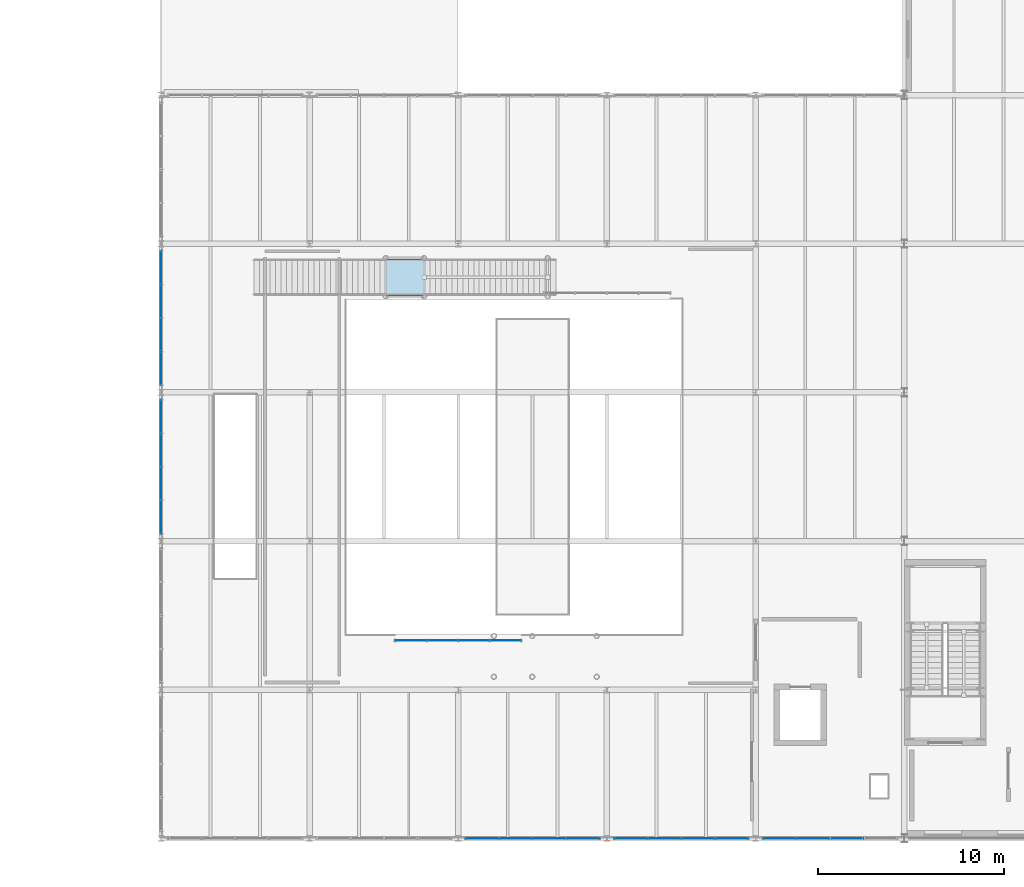
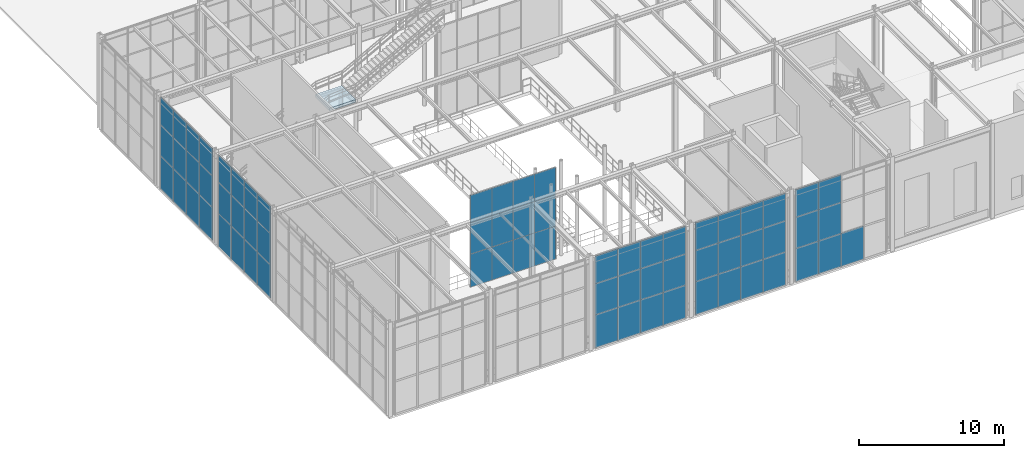
# One storey, part 75 of 138: 67 plates, 1 slab, 7 elements without a shape of their own.
"""IFC4 building model written with IfcOpenShell, lengths in metres."""

import ifcopenshell
import ifcopenshell.guid

model = None  # the IFC model being written
_history = None  # IfcOwnerHistory: only IFC2X3 demands one
_inside = {}  # id of a spatial element -> (the spatial element, [elements in it])
_under = {}  # id of a project, library or spatial element -> (it, [spatial elements below it])
_declared = {}  # id of a project -> (the project, [libraries it declares])
_typed = {}  # id of a type object -> (the type object, [elements of that type])
_made_of = {}  # id of a material, layer set ... -> (it, [elements and type objects made of it])


def new_model(schema):
    """Start an empty IFC model of exactly this schema.

    Asked for "IFC4X3", IfcOpenShell would pick the latest addendum, in which some entities
    have other attributes; the version numbers below select the first issue.
    IFC2X3 requires an IfcOwnerHistory on every rooted entity: one is made here for all.
    """
    global model, _history
    if schema == "IFC4X3":
        model = ifcopenshell.file(schema_version=(4, 3, 0, 0))
    else:
        model = ifcopenshell.file(schema=schema)
    _inside.clear()
    _under.clear()
    _declared.clear()
    _typed.clear()
    _made_of.clear()
    _history = None
    if model.schema == "IFC2X3":
        org = make("IfcOrganization", Name="unknown")
        user = make(
            "IfcPersonAndOrganization",
            ThePerson=make("IfcPerson", FamilyName="unknown"),
            TheOrganization=org,
        )
        app = make(
            "IfcApplication",
            ApplicationDeveloper=org,
            Version="unknown",
            ApplicationFullName="unknown",
            ApplicationIdentifier="unknown",
        )
        _history = make(
            "IfcOwnerHistory",
            OwningUser=user,
            OwningApplication=app,
            ChangeAction="ADDED",
            CreationDate=0,
        )
    return model


def make(cls, **values):
    """One entity of the class cls with the attributes given. An attribute that is None is left unset."""
    return model.create_entity(
        cls, **{name: value for name, value in values.items() if value is not None}
    )


def rooted(cls, **values):
    """An entity with a GlobalId (a new one), such as an element, a storey or a relation."""
    return make(cls, GlobalId=ifcopenshell.guid.new(), OwnerHistory=_history, **values)


def si_unit(unit_type, name, prefix=None):
    """IfcSIUnit, for example si_unit("LENGTHUNIT", "METRE", prefix="MILLI")."""
    return make("IfcSIUnit", UnitType=unit_type, Prefix=prefix, Name=name)


def assignment(units):
    """IfcUnitAssignment: the units of a project."""
    return None if units is None else make("IfcUnitAssignment", Units=units)


def point(xyz):
    """IfcCartesianPoint."""
    return None if xyz is None else make("IfcCartesianPoint", Coordinates=xyz)


def direction(xyz):
    """IfcDirection."""
    return None if xyz is None else make("IfcDirection", DirectionRatios=xyz)


def frame(location, z_axis=None, x_axis=None):
    """IfcAxis2Placement3D, a coordinate frame: its origin and axes. An axis left out is left unset."""
    return make(
        "IfcAxis2Placement3D",
        Location=point(location),
        Axis=direction(z_axis),
        RefDirection=direction(x_axis),
    )


def frame_2d(location, x_axis=None):
    """IfcAxis2Placement2D, a coordinate frame in the plane: its origin and x axis."""
    return make(
        "IfcAxis2Placement2D", Location=point(location), RefDirection=direction(x_axis)
    )


def origin():
    """The frame at (0, 0, 0) with its axes left unset."""
    return frame((0.0, 0.0, 0.0))


def origin_2d():
    """The frame at (0, 0) in the plane with its x axis left unset."""
    return frame_2d((0.0, 0.0))


def place(relative_to, where):
    """IfcLocalPlacement: puts the frame where relative to a parent placement (None: the world)."""
    return make(
        "IfcLocalPlacement", PlacementRelTo=relative_to, RelativePlacement=where
    )


def context(
    kind, dimensions, precision=None, world=None, true_north=None, identifier=None
):
    """IfcGeometricRepresentationContext, for example the 3D "Model" context."""
    return make(
        "IfcGeometricRepresentationContext",
        ContextIdentifier=identifier,
        ContextType=kind,
        CoordinateSpaceDimension=dimensions,
        Precision=precision,
        WorldCoordinateSystem=world,
        TrueNorth=true_north,
    )


def subcontext(parent, identifier, kind, view, scale=None):
    """IfcGeometricRepresentationSubContext, for example "Body" below "Model"."""
    return make(
        "IfcGeometricRepresentationSubContext",
        ContextIdentifier=identifier,
        ContextType=kind,
        ParentContext=parent,
        TargetScale=scale,
        TargetView=view,
    )


def project(units=None, contexts=None):
    """IfcProject with its units and contexts."""
    return rooted(
        "IfcProject",
        Name="project",
        RepresentationContexts=contexts,
        UnitsInContext=assignment(units),
    )


def spatial(cls, under=None, at=None, **own):
    """A site, building, storey or space (cls), placed at a placement, below another one or the project."""
    s = rooted(cls, ObjectPlacement=at, **own)
    if under is not None:
        _under.setdefault(under.id(), (under, []))[1].append(s)
    return s


def polyline(points):
    """IfcPolyline through the points."""
    return make("IfcPolyline", Points=[point(p) for p in points])


def profile(cls, at=None, kind="AREA", **sizes):
    """A parametric profile (cls). Its sizes go by their IFC names, for example OverallWidth=200.0."""
    return make(cls, ProfileType=kind, Position=at, **sizes)


def rectangle(**sizes):
    """IfcRectangleProfileDef."""
    return profile("IfcRectangleProfileDef", **sizes)


def outline(outer, holes=None, kind="AREA"):
    """IfcArbitraryClosedProfileDef: a profile drawn as a closed curve; with holes, ...WithVoids."""
    if holes is None:
        return make("IfcArbitraryClosedProfileDef", ProfileType=kind, OuterCurve=outer)
    return make(
        "IfcArbitraryProfileDefWithVoids",
        ProfileType=kind,
        OuterCurve=outer,
        InnerCurves=holes,
    )


def extrude(swept, where, along, depth):
    """IfcExtrudedAreaSolid: the profile swept, set in the frame where, extruded along a direction by depth."""
    return make(
        "IfcExtrudedAreaSolid",
        SweptArea=swept,
        Position=where,
        ExtrudedDirection=direction(along),
        Depth=depth,
    )


def shape(context_of_items, identifier, shape_type, items):
    """IfcShapeRepresentation: the items that make up one representation, for example the "Body"."""
    return make(
        "IfcShapeRepresentation",
        ContextOfItems=context_of_items,
        RepresentationIdentifier=identifier,
        RepresentationType=shape_type,
        Items=items,
    )


def material(Name=None, Category=None):
    """IfcMaterial."""
    return make("IfcMaterial", Name=Name, Category=Category)


def layer(
    of_material, thickness, ventilated=None, Name=None, Category=None, Priority=None
):
    """IfcMaterialLayer: one layer of a wall or slab, of a material (None: an air gap)."""
    return make(
        "IfcMaterialLayer",
        Material=of_material,
        LayerThickness=thickness,
        IsVentilated=ventilated,
        Name=Name,
        Category=Category,
        Priority=Priority,
    )


def layer_set(layers, Name=None):
    """IfcMaterialLayerSet."""
    return make("IfcMaterialLayerSet", MaterialLayers=layers, LayerSetName=Name)


def made_of(thing, what):
    """Note that an element or type object is made of a material, layer set ...; save() writes the relation."""
    if what is not None:
        _made_of.setdefault(what.id(), (what, []))[1].append(thing)
    return thing


def type_object(cls, material=None, **own):
    """A type object (cls), such as IfcWallType, which elements share."""
    return made_of(rooted(cls, **own), material)


def element(
    cls,
    number,
    at=None,
    inside=None,
    cuts=None,
    type_object=None,
    material=None,
    context=None,
    identifier="Body",
    shape_type=None,
    held_by="IfcProductDefinitionShape",
    body=None,
    shapes=None,
    **own,
):
    """One element of the class cls, such as IfcWall. Its Tag is "e" and its number.

    at: its placement. inside: the storey or other place that contains it. cuts: it is an
    opening in that element (IfcRelVoidsElement). A single representation is given by context,
    identifier, shape_type and body (its items); several are given by shapes. held_by: the class
    of the entity that holds the representations. save() writes the other relations.
    """
    e = rooted(cls, Tag="e%d" % number, ObjectPlacement=at, **own)
    if body is not None:
        shapes = [shape(context, identifier, shape_type, body)]
    if shapes is not None:
        e.Representation = make(held_by, Representations=shapes)
    if inside is not None:
        _inside.setdefault(inside.id(), (inside, []))[1].append(e)
    if cuts is not None:
        rooted(
            "IfcRelVoidsElement", RelatingBuildingElement=cuts, RelatedOpeningElement=e
        )
    if type_object is not None:
        _typed.setdefault(type_object.id(), (type_object, []))[1].append(e)
    return made_of(e, material)


def aggregate(whole, parts):
    """IfcRelAggregates: a whole, such as a stair, and the parts it consists of."""
    return rooted("IfcRelAggregates", RelatingObject=whole, RelatedObjects=parts)


def save(model, path):
    """Write the relations noted so far, then the file.

    IfcRelAggregates (storeys below a building ...), IfcRelContainedInSpatialStructure (elements
    in a storey), IfcRelDefinesByType, IfcRelAssociatesMaterial and IfcRelDeclares: one each for
    every whole, place, type object, material and project.
    """
    for whole, parts in _under.values():
        aggregate(whole, parts)
    for where, things in _inside.values():
        rooted(
            "IfcRelContainedInSpatialStructure",
            RelatedElements=things,
            RelatingStructure=where,
        )
    for kind, things in _typed.values():
        rooted("IfcRelDefinesByType", RelatedObjects=things, RelatingType=kind)
    for what, things in _made_of.values():
        rooted("IfcRelAssociatesMaterial", RelatedObjects=things, RelatingMaterial=what)
    for by, libraries in _declared.values():
        rooted("IfcRelDeclares", RelatingContext=by, RelatedDefinitions=libraries)
    model.write(path)


model = new_model("IFC4")

# Units and contexts
model_context = context("Model", 3, precision=1e-05, world=origin(), true_north=direction((0.0, 1.0)))
body_context = subcontext(model_context, "Body", "Model", "MODEL_VIEW")
ifc_project = project(units=[si_unit("LENGTHUNIT", "METRE"), si_unit("AREAUNIT", "SQUARE_METRE"), si_unit("VOLUMEUNIT", "CUBIC_METRE"), si_unit("PLANEANGLEUNIT", "RADIAN"), si_unit("MASSUNIT", "GRAM", prefix="KILO")], contexts=[model_context])

# Site, building, storey
site_placement = place(None, origin())
site = spatial("IfcSite", under=ifc_project, at=site_placement, CompositionType="ELEMENT")
building_placement = place(site_placement, origin())
building = spatial("IfcBuilding", under=site, at=building_placement, Name="Sundkrona Museum", CompositionType="ELEMENT")
storey_placement = place(building_placement, frame((0.0, 0.0, 9.60009765625)))
storey = spatial("IfcBuildingStorey", under=building, at=storey_placement, Name="L02", CompositionType="ELEMENT", Elevation=9.60009765625)

# Curtain wall, plates
ifc_material_1 = material(Name="Unitised Aluminium-Steel and Ceramic-Clad Curtain Walling", Category="steel")
curtain_wall_type_1 = type_object("IfcCurtainWallType", Name="CW-AT-72x74", PredefinedType="NOTDEFINED", material=ifc_material_1)
curtain_wall_1_placement = place(storey_placement, origin())
curtain_wall_1 = element("IfcCurtainWall", 1, at=curtain_wall_1_placement, inside=storey, type_object=curtain_wall_type_1, Name="L02 Curtain Wall CW-L02-045", PredefinedType="NOTDEFINED")
ifc_material_2 = material(Name="Triple Low-E Vision Glazing 32 mm", Category="glass")
ifc_layer_1 = layer(ifc_material_2, 0.031982421875)
ifc_layer_set_1 = layer_set([ifc_layer_1], Name="Triple Low-E Vision Glazing 32 mm")
plate_type_1 = type_object("IfcPlateType", Name="PN-GL-01", PredefinedType="CURTAIN_PANEL", material=ifc_layer_set_1)
plate_1_placement = place(storey_placement, frame((97.300048828125, 0.0, -0.004150390625), z_axis=(0.0, 0.0, 1.0), x_axis=(1.0, 0.0, 0.0)))
plate_1 = element("IfcPlate", 2, at=plate_1_placement, type_object=plate_type_1, Name="CW-L02-045 Panel 01", PredefinedType="CURTAIN_PANEL", context=body_context, shape_type="SweptSolid", body=[
    extrude(rectangle(XDim=1.800048828125, YDim=0.031982421875, at=origin_2d()), origin(), (0.0, 0.0, 1.0), 2.7900390625),
])
plate_2_placement = place(storey_placement, frame((97.300048828125, 0.0, 2.78564453125), z_axis=(0.0, 0.0, 1.0), x_axis=(1.0, 0.0, 0.0)))
plate_2 = element("IfcPlate", 3, at=plate_2_placement, type_object=plate_type_1, Name="CW-L02-045 Panel 02", PredefinedType="CURTAIN_PANEL", context=body_context, shape_type="SweptSolid", body=[
    extrude(rectangle(XDim=1.800048828125, YDim=0.031982421875, at=origin_2d()), origin(), (0.0, 0.0, 1.0), 2.632080078125),
])
plate_3_placement = place(storey_placement, frame((97.300048828125, 0.0, 5.41796875), z_axis=(0.0, 0.0, 1.0), x_axis=(1.0, 0.0, 0.0)))
plate_3 = element("IfcPlate", 4, at=plate_3_placement, type_object=plate_type_1, Name="CW-L02-045 Panel 03", PredefinedType="CURTAIN_PANEL", context=body_context, shape_type="SweptSolid", body=[
    extrude(rectangle(XDim=1.800048828125, YDim=0.031982421875, at=origin_2d()), origin(), (0.0, 0.0, 1.0), 2.325927734375),
])
plate_4_placement = place(storey_placement, frame((99.10009765625, 0.0, -0.004150390625), z_axis=(0.0, 0.0, 1.0), x_axis=(1.0, 0.0, 0.0)))
plate_4 = element("IfcPlate", 5, at=plate_4_placement, type_object=plate_type_1, Name="CW-L02-045 Panel 04", PredefinedType="CURTAIN_PANEL", context=body_context, shape_type="SweptSolid", body=[
    extrude(rectangle(XDim=1.800048828125, YDim=0.031982421875, at=origin_2d()), origin(), (0.0, 0.0, 1.0), 2.7900390625),
])
plate_5_placement = place(storey_placement, frame((99.10009765625, 0.0, 2.78564453125), z_axis=(0.0, 0.0, 1.0), x_axis=(1.0, 0.0, 0.0)))
plate_5 = element("IfcPlate", 6, at=plate_5_placement, type_object=plate_type_1, Name="CW-L02-045 Panel 05", PredefinedType="CURTAIN_PANEL", context=body_context, shape_type="SweptSolid", body=[
    extrude(rectangle(XDim=1.800048828125, YDim=0.031982421875, at=origin_2d()), origin(), (0.0, 0.0, 1.0), 2.632080078125),
])
plate_6_placement = place(storey_placement, frame((99.10009765625, 0.0, 5.41796875), z_axis=(0.0, 0.0, 1.0), x_axis=(1.0, 0.0, 0.0)))
plate_6 = element("IfcPlate", 7, at=plate_6_placement, type_object=plate_type_1, Name="CW-L02-045 Panel 06", PredefinedType="CURTAIN_PANEL", context=body_context, shape_type="SweptSolid", body=[
    extrude(rectangle(XDim=1.800048828125, YDim=0.031982421875, at=origin_2d()), origin(), (0.0, 0.0, 1.0), 2.325927734375),
])
plate_7_placement = place(storey_placement, frame((100.89990234375, 0.0, -0.004150390625), z_axis=(0.0, 0.0, 1.0), x_axis=(1.0, 0.0, 0.0)))
plate_7 = element("IfcPlate", 8, at=plate_7_placement, type_object=plate_type_1, Name="CW-L02-045 Panel 07", PredefinedType="CURTAIN_PANEL", context=body_context, shape_type="SweptSolid", body=[
    extrude(rectangle(XDim=1.800048828125, YDim=0.031982421875, at=origin_2d()), origin(), (0.0, 0.0, 1.0), 2.7900390625),
])
plate_8_placement = place(storey_placement, frame((100.89990234375, 0.0, 2.78564453125), z_axis=(0.0, 0.0, 1.0), x_axis=(1.0, 0.0, 0.0)))
plate_8 = element("IfcPlate", 9, at=plate_8_placement, type_object=plate_type_1, Name="CW-L02-045 Panel 08", PredefinedType="CURTAIN_PANEL", context=body_context, shape_type="SweptSolid", body=[
    extrude(rectangle(XDim=1.800048828125, YDim=0.031982421875, at=origin_2d()), origin(), (0.0, 0.0, 1.0), 2.632080078125),
])
plate_9_placement = place(storey_placement, frame((100.89990234375, 0.0, 5.41796875), z_axis=(0.0, 0.0, 1.0), x_axis=(1.0, 0.0, 0.0)))
plate_9 = element("IfcPlate", 10, at=plate_9_placement, type_object=plate_type_1, Name="CW-L02-045 Panel 09", PredefinedType="CURTAIN_PANEL", context=body_context, shape_type="SweptSolid", body=[
    extrude(rectangle(XDim=1.800048828125, YDim=0.031982421875, at=origin_2d()), origin(), (0.0, 0.0, 1.0), 2.325927734375),
])
plate_10_placement = place(storey_placement, frame((102.699951171875, 0.0, -0.004150390625), z_axis=(0.0, 0.0, 1.0), x_axis=(1.0, 0.0, 0.0)))
plate_10 = element("IfcPlate", 11, at=plate_10_placement, type_object=plate_type_1, Name="CW-L02-045 Panel 10", PredefinedType="CURTAIN_PANEL", context=body_context, shape_type="SweptSolid", body=[
    extrude(rectangle(XDim=1.800048828125, YDim=0.031982421875, at=origin_2d()), origin(), (0.0, 0.0, 1.0), 2.7900390625),
])
plate_11_placement = place(storey_placement, frame((102.699951171875, 0.0, 2.78564453125), z_axis=(0.0, 0.0, 1.0), x_axis=(1.0, 0.0, 0.0)))
plate_11 = element("IfcPlate", 12, at=plate_11_placement, type_object=plate_type_1, Name="CW-L02-045 Panel 11", PredefinedType="CURTAIN_PANEL", context=body_context, shape_type="SweptSolid", body=[
    extrude(rectangle(XDim=1.800048828125, YDim=0.031982421875, at=origin_2d()), origin(), (0.0, 0.0, 1.0), 2.632080078125),
])
plate_12_placement = place(storey_placement, frame((102.699951171875, 0.0, 5.41796875), z_axis=(0.0, 0.0, 1.0), x_axis=(1.0, 0.0, 0.0)))
plate_12 = element("IfcPlate", 13, at=plate_12_placement, type_object=plate_type_1, Name="CW-L02-045 Panel 12", PredefinedType="CURTAIN_PANEL", context=body_context, shape_type="SweptSolid", body=[
    extrude(rectangle(XDim=1.800048828125, YDim=0.031982421875, at=origin_2d()), origin(), (0.0, 0.0, 1.0), 2.325927734375),
])
aggregate(curtain_wall_1, [plate_1, plate_2, plate_3, plate_4, plate_5, plate_6, plate_7, plate_8, plate_9, plate_10, plate_11, plate_12])

curtain_wall_2_placement = place(storey_placement, origin())
curtain_wall_2 = element("IfcCurtainWall", 14, at=curtain_wall_2_placement, inside=storey, type_object=curtain_wall_type_1, Name="L02 Curtain Wall CW-L02-046", PredefinedType="NOTDEFINED")
plate_13_placement = place(storey_placement, frame((105.300048828125, 0.0, -0.004150390625), z_axis=(0.0, 0.0, 1.0), x_axis=(1.0, 0.0, 0.0)))
plate_13 = element("IfcPlate", 15, at=plate_13_placement, type_object=plate_type_1, Name="CW-L02-046 Panel 01", PredefinedType="CURTAIN_PANEL", context=body_context, shape_type="SweptSolid", body=[
    extrude(rectangle(XDim=1.800048828125, YDim=0.031982421875, at=origin_2d()), origin(), (0.0, 0.0, 1.0), 2.7900390625),
])
plate_14_placement = place(storey_placement, frame((105.300048828125, 0.0, 2.78564453125), z_axis=(0.0, 0.0, 1.0), x_axis=(1.0, 0.0, 0.0)))
plate_14 = element("IfcPlate", 16, at=plate_14_placement, type_object=plate_type_1, Name="CW-L02-046 Panel 02", PredefinedType="CURTAIN_PANEL", context=body_context, shape_type="SweptSolid", body=[
    extrude(rectangle(XDim=1.800048828125, YDim=0.031982421875, at=origin_2d()), origin(), (0.0, 0.0, 1.0), 2.632080078125),
])
plate_15_placement = place(storey_placement, frame((105.300048828125, 0.0, 5.41796875), z_axis=(0.0, 0.0, 1.0), x_axis=(1.0, 0.0, 0.0)))
plate_15 = element("IfcPlate", 17, at=plate_15_placement, type_object=plate_type_1, Name="CW-L02-046 Panel 03", PredefinedType="CURTAIN_PANEL", context=body_context, shape_type="SweptSolid", body=[
    extrude(rectangle(XDim=1.800048828125, YDim=0.031982421875, at=origin_2d()), origin(), (0.0, 0.0, 1.0), 2.325927734375),
])
plate_16_placement = place(storey_placement, frame((107.10009765625, 0.0, -0.004150390625), z_axis=(0.0, 0.0, 1.0), x_axis=(1.0, 0.0, 0.0)))
plate_16 = element("IfcPlate", 18, at=plate_16_placement, type_object=plate_type_1, Name="CW-L02-046 Panel 04", PredefinedType="CURTAIN_PANEL", context=body_context, shape_type="SweptSolid", body=[
    extrude(rectangle(XDim=1.800048828125, YDim=0.031982421875, at=origin_2d()), origin(), (0.0, 0.0, 1.0), 2.7900390625),
])
plate_17_placement = place(storey_placement, frame((107.10009765625, 0.0, 2.78564453125), z_axis=(0.0, 0.0, 1.0), x_axis=(1.0, 0.0, 0.0)))
plate_17 = element("IfcPlate", 19, at=plate_17_placement, type_object=plate_type_1, Name="CW-L02-046 Panel 05", PredefinedType="CURTAIN_PANEL", context=body_context, shape_type="SweptSolid", body=[
    extrude(rectangle(XDim=1.800048828125, YDim=0.031982421875, at=origin_2d()), origin(), (0.0, 0.0, 1.0), 2.632080078125),
])
plate_18_placement = place(storey_placement, frame((107.10009765625, 0.0, 5.41796875), z_axis=(0.0, 0.0, 1.0), x_axis=(1.0, 0.0, 0.0)))
plate_18 = element("IfcPlate", 20, at=plate_18_placement, type_object=plate_type_1, Name="CW-L02-046 Panel 06", PredefinedType="CURTAIN_PANEL", context=body_context, shape_type="SweptSolid", body=[
    extrude(rectangle(XDim=1.800048828125, YDim=0.031982421875, at=origin_2d()), origin(), (0.0, 0.0, 1.0), 2.325927734375),
])
plate_19_placement = place(storey_placement, frame((108.89990234375, 0.0, -0.004150390625), z_axis=(0.0, 0.0, 1.0), x_axis=(1.0, 0.0, 0.0)))
plate_19 = element("IfcPlate", 21, at=plate_19_placement, type_object=plate_type_1, Name="CW-L02-046 Panel 07", PredefinedType="CURTAIN_PANEL", context=body_context, shape_type="SweptSolid", body=[
    extrude(rectangle(XDim=1.800048828125, YDim=0.031982421875, at=origin_2d()), origin(), (0.0, 0.0, 1.0), 2.7900390625),
])
plate_20_placement = place(storey_placement, frame((108.89990234375, 0.0, 2.78564453125), z_axis=(0.0, 0.0, 1.0), x_axis=(1.0, 0.0, 0.0)))
plate_20 = element("IfcPlate", 22, at=plate_20_placement, type_object=plate_type_1, Name="CW-L02-046 Panel 08", PredefinedType="CURTAIN_PANEL", context=body_context, shape_type="SweptSolid", body=[
    extrude(rectangle(XDim=1.800048828125, YDim=0.031982421875, at=origin_2d()), origin(), (0.0, 0.0, 1.0), 2.632080078125),
])
plate_21_placement = place(storey_placement, frame((108.89990234375, 0.0, 5.41796875), z_axis=(0.0, 0.0, 1.0), x_axis=(1.0, 0.0, 0.0)))
plate_21 = element("IfcPlate", 23, at=plate_21_placement, type_object=plate_type_1, Name="CW-L02-046 Panel 09", PredefinedType="CURTAIN_PANEL", context=body_context, shape_type="SweptSolid", body=[
    extrude(rectangle(XDim=1.800048828125, YDim=0.031982421875, at=origin_2d()), origin(), (0.0, 0.0, 1.0), 2.325927734375),
])
plate_22_placement = place(storey_placement, frame((110.699951171875, 0.0, -0.004150390625), z_axis=(0.0, 0.0, 1.0), x_axis=(1.0, 0.0, 0.0)))
plate_22 = element("IfcPlate", 24, at=plate_22_placement, type_object=plate_type_1, Name="CW-L02-046 Panel 10", PredefinedType="CURTAIN_PANEL", context=body_context, shape_type="SweptSolid", body=[
    extrude(rectangle(XDim=1.800048828125, YDim=0.031982421875, at=origin_2d()), origin(), (0.0, 0.0, 1.0), 2.7900390625),
])
plate_23_placement = place(storey_placement, frame((110.699951171875, 0.0, 2.78564453125), z_axis=(0.0, 0.0, 1.0), x_axis=(1.0, 0.0, 0.0)))
plate_23 = element("IfcPlate", 25, at=plate_23_placement, type_object=plate_type_1, Name="CW-L02-046 Panel 11", PredefinedType="CURTAIN_PANEL", context=body_context, shape_type="SweptSolid", body=[
    extrude(rectangle(XDim=1.800048828125, YDim=0.031982421875, at=origin_2d()), origin(), (0.0, 0.0, 1.0), 2.632080078125),
])
plate_24_placement = place(storey_placement, frame((110.699951171875, 0.0, 5.41796875), z_axis=(0.0, 0.0, 1.0), x_axis=(1.0, 0.0, 0.0)))
plate_24 = element("IfcPlate", 26, at=plate_24_placement, type_object=plate_type_1, Name="CW-L02-046 Panel 12", PredefinedType="CURTAIN_PANEL", context=body_context, shape_type="SweptSolid", body=[
    extrude(rectangle(XDim=1.800048828125, YDim=0.031982421875, at=origin_2d()), origin(), (0.0, 0.0, 1.0), 2.325927734375),
])
aggregate(curtain_wall_2, [plate_13, plate_14, plate_15, plate_16, plate_17, plate_18, plate_19, plate_20, plate_21, plate_22, plate_23, plate_24])

curtain_wall_3_placement = place(storey_placement, origin())
curtain_wall_3 = element("IfcCurtainWall", 27, at=curtain_wall_3_placement, inside=storey, type_object=curtain_wall_type_1, Name="L02 Curtain Wall CW-L02-047", PredefinedType="NOTDEFINED")
plate_25_placement = place(storey_placement, frame((113.300048828125, 0.0, -0.004150390625), z_axis=(0.0, 0.0, 1.0), x_axis=(1.0, 0.0, 0.0)))
plate_25 = element("IfcPlate", 28, at=plate_25_placement, type_object=plate_type_1, Name="CW-L02-047 Panel 01", PredefinedType="CURTAIN_PANEL", context=body_context, shape_type="SweptSolid", body=[
    extrude(rectangle(XDim=1.800048828125, YDim=0.031982421875, at=origin_2d()), origin(), (0.0, 0.0, 1.0), 2.7900390625),
])
plate_26_placement = place(storey_placement, frame((113.300048828125, 0.0, 2.78564453125), z_axis=(0.0, 0.0, 1.0), x_axis=(1.0, 0.0, 0.0)))
plate_26 = element("IfcPlate", 29, at=plate_26_placement, type_object=plate_type_1, Name="CW-L02-047 Panel 02", PredefinedType="CURTAIN_PANEL", context=body_context, shape_type="SweptSolid", body=[
    extrude(rectangle(XDim=1.800048828125, YDim=0.031982421875, at=origin_2d()), origin(), (0.0, 0.0, 1.0), 2.632080078125),
])
plate_27_placement = place(storey_placement, frame((113.300048828125, 0.0, 5.41796875), z_axis=(0.0, 0.0, 1.0), x_axis=(1.0, 0.0, 0.0)))
plate_27 = element("IfcPlate", 30, at=plate_27_placement, type_object=plate_type_1, Name="CW-L02-047 Panel 03", PredefinedType="CURTAIN_PANEL", context=body_context, shape_type="SweptSolid", body=[
    extrude(rectangle(XDim=1.800048828125, YDim=0.031982421875, at=origin_2d()), origin(), (0.0, 0.0, 1.0), 2.325927734375),
])
plate_28_placement = place(storey_placement, frame((115.10009765625, 0.0, -0.004150390625), z_axis=(0.0, 0.0, 1.0), x_axis=(1.0, 0.0, 0.0)))
plate_28 = element("IfcPlate", 31, at=plate_28_placement, type_object=plate_type_1, Name="CW-L02-047 Panel 04", PredefinedType="CURTAIN_PANEL", context=body_context, shape_type="SweptSolid", body=[
    extrude(rectangle(XDim=1.800048828125, YDim=0.031982421875, at=origin_2d()), origin(), (0.0, 0.0, 1.0), 2.7900390625),
])
plate_29_placement = place(storey_placement, frame((115.10009765625, 0.0, 2.78564453125), z_axis=(0.0, 0.0, 1.0), x_axis=(1.0, 0.0, 0.0)))
plate_29 = element("IfcPlate", 32, at=plate_29_placement, type_object=plate_type_1, Name="CW-L02-047 Panel 05", PredefinedType="CURTAIN_PANEL", context=body_context, shape_type="SweptSolid", body=[
    extrude(rectangle(XDim=1.800048828125, YDim=0.031982421875, at=origin_2d()), origin(), (0.0, 0.0, 1.0), 2.632080078125),
])
plate_30_placement = place(storey_placement, frame((115.10009765625, 0.0, 5.41796875), z_axis=(0.0, 0.0, 1.0), x_axis=(1.0, 0.0, 0.0)))
plate_30 = element("IfcPlate", 33, at=plate_30_placement, type_object=plate_type_1, Name="CW-L02-047 Panel 06", PredefinedType="CURTAIN_PANEL", context=body_context, shape_type="SweptSolid", body=[
    extrude(rectangle(XDim=1.800048828125, YDim=0.031982421875, at=origin_2d()), origin(), (0.0, 0.0, 1.0), 2.325927734375),
])
plate_31_placement = place(storey_placement, frame((116.89990234375, 0.0, -0.004150390625), z_axis=(0.0, 0.0, 1.0), x_axis=(1.0, 0.0, 0.0)))
plate_31 = element("IfcPlate", 34, at=plate_31_placement, type_object=plate_type_1, Name="CW-L02-047 Panel 07", PredefinedType="CURTAIN_PANEL", context=body_context, shape_type="SweptSolid", body=[
    extrude(rectangle(XDim=1.800048828125, YDim=0.031982421875, at=origin_2d()), origin(), (0.0, 0.0, 1.0), 2.7900390625),
])
aggregate(curtain_wall_3, [plate_25, plate_26, plate_27, plate_28, plate_29, plate_30, plate_31])

curtain_wall_4_placement = place(storey_placement, origin())
curtain_wall_4 = element("IfcCurtainWall", 35, at=curtain_wall_4_placement, inside=storey, type_object=curtain_wall_type_1, Name="L02 Curtain Wall CW-L02-050", PredefinedType="NOTDEFINED")
plate_32_placement = place(storey_placement, frame((80.0, 17.300048828125, -0.004150390625), z_axis=(0.0, 0.0, 1.0), x_axis=(0.0, 1.0, 0.0)))
plate_32 = element("IfcPlate", 36, at=plate_32_placement, type_object=plate_type_1, Name="CW-L02-050 Panel 01", PredefinedType="CURTAIN_PANEL", context=body_context, shape_type="SweptSolid", body=[
    extrude(rectangle(XDim=1.800048828125, YDim=0.031982421875, at=origin_2d()), origin(), (0.0, 0.0, 1.0), 2.7900390625),
])
plate_33_placement = place(storey_placement, frame((80.0, 17.300048828125, 2.78564453125), z_axis=(0.0, 0.0, 1.0), x_axis=(0.0, 1.0, 0.0)))
plate_33 = element("IfcPlate", 37, at=plate_33_placement, type_object=plate_type_1, Name="CW-L02-050 Panel 02", PredefinedType="CURTAIN_PANEL", context=body_context, shape_type="SweptSolid", body=[
    extrude(rectangle(XDim=1.800048828125, YDim=0.031982421875, at=origin_2d()), origin(), (0.0, 0.0, 1.0), 2.632080078125),
])
plate_34_placement = place(storey_placement, frame((80.0, 17.300048828125, 5.41796875), z_axis=(0.0, 0.0, 1.0), x_axis=(0.0, 1.0, 0.0)))
plate_34 = element("IfcPlate", 38, at=plate_34_placement, type_object=plate_type_1, Name="CW-L02-050 Panel 03", PredefinedType="CURTAIN_PANEL", context=body_context, shape_type="SweptSolid", body=[
    extrude(rectangle(XDim=1.800048828125, YDim=0.031982421875, at=origin_2d()), origin(), (0.0, 0.0, 1.0), 2.325927734375),
])
plate_35_placement = place(storey_placement, frame((80.0, 19.10009765625, -0.004150390625), z_axis=(0.0, 0.0, 1.0), x_axis=(0.0, 1.0, 0.0)))
plate_35 = element("IfcPlate", 39, at=plate_35_placement, type_object=plate_type_1, Name="CW-L02-050 Panel 04", PredefinedType="CURTAIN_PANEL", context=body_context, shape_type="SweptSolid", body=[
    extrude(rectangle(XDim=1.800048828125, YDim=0.031982421875, at=origin_2d()), origin(), (0.0, 0.0, 1.0), 2.7900390625),
])
plate_36_placement = place(storey_placement, frame((80.0, 19.10009765625, 2.78564453125), z_axis=(0.0, 0.0, 1.0), x_axis=(0.0, 1.0, 0.0)))
plate_36 = element("IfcPlate", 40, at=plate_36_placement, type_object=plate_type_1, Name="CW-L02-050 Panel 05", PredefinedType="CURTAIN_PANEL", context=body_context, shape_type="SweptSolid", body=[
    extrude(rectangle(XDim=1.800048828125, YDim=0.031982421875, at=origin_2d()), origin(), (0.0, 0.0, 1.0), 2.632080078125),
])
plate_37_placement = place(storey_placement, frame((80.0, 19.10009765625, 5.41796875), z_axis=(0.0, 0.0, 1.0), x_axis=(0.0, 1.0, 0.0)))
plate_37 = element("IfcPlate", 41, at=plate_37_placement, type_object=plate_type_1, Name="CW-L02-050 Panel 06", PredefinedType="CURTAIN_PANEL", context=body_context, shape_type="SweptSolid", body=[
    extrude(rectangle(XDim=1.800048828125, YDim=0.031982421875, at=origin_2d()), origin(), (0.0, 0.0, 1.0), 2.325927734375),
])
plate_38_placement = place(storey_placement, frame((80.0, 20.89990234375, -0.004150390625), z_axis=(0.0, 0.0, 1.0), x_axis=(0.0, 1.0, 0.0)))
plate_38 = element("IfcPlate", 42, at=plate_38_placement, type_object=plate_type_1, Name="CW-L02-050 Panel 07", PredefinedType="CURTAIN_PANEL", context=body_context, shape_type="SweptSolid", body=[
    extrude(rectangle(XDim=1.800048828125, YDim=0.031982421875, at=origin_2d()), origin(), (0.0, 0.0, 1.0), 2.7900390625),
])
plate_39_placement = place(storey_placement, frame((80.0, 20.89990234375, 2.78564453125), z_axis=(0.0, 0.0, 1.0), x_axis=(0.0, 1.0, 0.0)))
plate_39 = element("IfcPlate", 43, at=plate_39_placement, type_object=plate_type_1, Name="CW-L02-050 Panel 08", PredefinedType="CURTAIN_PANEL", context=body_context, shape_type="SweptSolid", body=[
    extrude(rectangle(XDim=1.800048828125, YDim=0.031982421875, at=origin_2d()), origin(), (0.0, 0.0, 1.0), 2.632080078125),
])
plate_40_placement = place(storey_placement, frame((80.0, 20.89990234375, 5.41796875), z_axis=(0.0, 0.0, 1.0), x_axis=(0.0, 1.0, 0.0)))
plate_40 = element("IfcPlate", 44, at=plate_40_placement, type_object=plate_type_1, Name="CW-L02-050 Panel 09", PredefinedType="CURTAIN_PANEL", context=body_context, shape_type="SweptSolid", body=[
    extrude(rectangle(XDim=1.800048828125, YDim=0.031982421875, at=origin_2d()), origin(), (0.0, 0.0, 1.0), 2.325927734375),
])
plate_41_placement = place(storey_placement, frame((80.0, 22.699951171875, -0.004150390625), z_axis=(0.0, 0.0, 1.0), x_axis=(0.0, 1.0, 0.0)))
plate_41 = element("IfcPlate", 45, at=plate_41_placement, type_object=plate_type_1, Name="CW-L02-050 Panel 10", PredefinedType="CURTAIN_PANEL", context=body_context, shape_type="SweptSolid", body=[
    extrude(rectangle(XDim=1.800048828125, YDim=0.031982421875, at=origin_2d()), origin(), (0.0, 0.0, 1.0), 2.7900390625),
])
plate_42_placement = place(storey_placement, frame((80.0, 22.699951171875, 2.78564453125), z_axis=(0.0, 0.0, 1.0), x_axis=(0.0, 1.0, 0.0)))
plate_42 = element("IfcPlate", 46, at=plate_42_placement, type_object=plate_type_1, Name="CW-L02-050 Panel 11", PredefinedType="CURTAIN_PANEL", context=body_context, shape_type="SweptSolid", body=[
    extrude(rectangle(XDim=1.800048828125, YDim=0.031982421875, at=origin_2d()), origin(), (0.0, 0.0, 1.0), 2.632080078125),
])
plate_43_placement = place(storey_placement, frame((80.0, 22.699951171875, 5.41796875), z_axis=(0.0, 0.0, 1.0), x_axis=(0.0, 1.0, 0.0)))
plate_43 = element("IfcPlate", 47, at=plate_43_placement, type_object=plate_type_1, Name="CW-L02-050 Panel 12", PredefinedType="CURTAIN_PANEL", context=body_context, shape_type="SweptSolid", body=[
    extrude(rectangle(XDim=1.800048828125, YDim=0.031982421875, at=origin_2d()), origin(), (0.0, 0.0, 1.0), 2.325927734375),
])
aggregate(curtain_wall_4, [plate_32, plate_33, plate_34, plate_35, plate_36, plate_37, plate_38, plate_39, plate_40, plate_41, plate_42, plate_43])

curtain_wall_5_placement = place(storey_placement, origin())
curtain_wall_5 = element("IfcCurtainWall", 48, at=curtain_wall_5_placement, inside=storey, type_object=curtain_wall_type_1, Name="L02 Curtain Wall CW-L02-051", PredefinedType="NOTDEFINED")
plate_44_placement = place(storey_placement, frame((80.0, 25.300048828125, -0.004150390625), z_axis=(0.0, 0.0, 1.0), x_axis=(0.0, 1.0, 0.0)))
plate_44 = element("IfcPlate", 49, at=plate_44_placement, type_object=plate_type_1, Name="CW-L02-051 Panel 01", PredefinedType="CURTAIN_PANEL", context=body_context, shape_type="SweptSolid", body=[
    extrude(rectangle(XDim=1.800048828125, YDim=0.031982421875, at=origin_2d()), origin(), (0.0, 0.0, 1.0), 2.7900390625),
])
plate_45_placement = place(storey_placement, frame((80.0, 25.300048828125, 2.78564453125), z_axis=(0.0, 0.0, 1.0), x_axis=(0.0, 1.0, 0.0)))
plate_45 = element("IfcPlate", 50, at=plate_45_placement, type_object=plate_type_1, Name="CW-L02-051 Panel 02", PredefinedType="CURTAIN_PANEL", context=body_context, shape_type="SweptSolid", body=[
    extrude(rectangle(XDim=1.800048828125, YDim=0.031982421875, at=origin_2d()), origin(), (0.0, 0.0, 1.0), 2.632080078125),
])
plate_46_placement = place(storey_placement, frame((80.0, 25.300048828125, 5.41796875), z_axis=(0.0, 0.0, 1.0), x_axis=(0.0, 1.0, 0.0)))
plate_46 = element("IfcPlate", 51, at=plate_46_placement, type_object=plate_type_1, Name="CW-L02-051 Panel 03", PredefinedType="CURTAIN_PANEL", context=body_context, shape_type="SweptSolid", body=[
    extrude(rectangle(XDim=1.800048828125, YDim=0.031982421875, at=origin_2d()), origin(), (0.0, 0.0, 1.0), 2.325927734375),
])
plate_47_placement = place(storey_placement, frame((80.0, 27.10009765625, -0.004150390625), z_axis=(0.0, 0.0, 1.0), x_axis=(0.0, 1.0, 0.0)))
plate_47 = element("IfcPlate", 52, at=plate_47_placement, type_object=plate_type_1, Name="CW-L02-051 Panel 04", PredefinedType="CURTAIN_PANEL", context=body_context, shape_type="SweptSolid", body=[
    extrude(rectangle(XDim=1.800048828125, YDim=0.031982421875, at=origin_2d()), origin(), (0.0, 0.0, 1.0), 2.7900390625),
])
plate_48_placement = place(storey_placement, frame((80.0, 27.10009765625, 2.78564453125), z_axis=(0.0, 0.0, 1.0), x_axis=(0.0, 1.0, 0.0)))
plate_48 = element("IfcPlate", 53, at=plate_48_placement, type_object=plate_type_1, Name="CW-L02-051 Panel 05", PredefinedType="CURTAIN_PANEL", context=body_context, shape_type="SweptSolid", body=[
    extrude(rectangle(XDim=1.800048828125, YDim=0.031982421875, at=origin_2d()), origin(), (0.0, 0.0, 1.0), 2.632080078125),
])
plate_49_placement = place(storey_placement, frame((80.0, 27.10009765625, 5.41796875), z_axis=(0.0, 0.0, 1.0), x_axis=(0.0, 1.0, 0.0)))
plate_49 = element("IfcPlate", 54, at=plate_49_placement, type_object=plate_type_1, Name="CW-L02-051 Panel 06", PredefinedType="CURTAIN_PANEL", context=body_context, shape_type="SweptSolid", body=[
    extrude(rectangle(XDim=1.800048828125, YDim=0.031982421875, at=origin_2d()), origin(), (0.0, 0.0, 1.0), 2.325927734375),
])
plate_50_placement = place(storey_placement, frame((80.0, 28.89990234375, -0.004150390625), z_axis=(0.0, 0.0, 1.0), x_axis=(0.0, 1.0, 0.0)))
plate_50 = element("IfcPlate", 55, at=plate_50_placement, type_object=plate_type_1, Name="CW-L02-051 Panel 07", PredefinedType="CURTAIN_PANEL", context=body_context, shape_type="SweptSolid", body=[
    extrude(rectangle(XDim=1.800048828125, YDim=0.031982421875, at=origin_2d()), origin(), (0.0, 0.0, 1.0), 2.7900390625),
])
plate_51_placement = place(storey_placement, frame((80.0, 28.89990234375, 2.78564453125), z_axis=(0.0, 0.0, 1.0), x_axis=(0.0, 1.0, 0.0)))
plate_51 = element("IfcPlate", 56, at=plate_51_placement, type_object=plate_type_1, Name="CW-L02-051 Panel 08", PredefinedType="CURTAIN_PANEL", context=body_context, shape_type="SweptSolid", body=[
    extrude(rectangle(XDim=1.800048828125, YDim=0.031982421875, at=origin_2d()), origin(), (0.0, 0.0, 1.0), 2.632080078125),
])
plate_52_placement = place(storey_placement, frame((80.0, 28.89990234375, 5.41796875), z_axis=(0.0, 0.0, 1.0), x_axis=(0.0, 1.0, 0.0)))
plate_52 = element("IfcPlate", 57, at=plate_52_placement, type_object=plate_type_1, Name="CW-L02-051 Panel 09", PredefinedType="CURTAIN_PANEL", context=body_context, shape_type="SweptSolid", body=[
    extrude(rectangle(XDim=1.800048828125, YDim=0.031982421875, at=origin_2d()), origin(), (0.0, 0.0, 1.0), 2.325927734375),
])
plate_53_placement = place(storey_placement, frame((80.0, 30.699951171875, -0.004150390625), z_axis=(0.0, 0.0, 1.0), x_axis=(0.0, 1.0, 0.0)))
plate_53 = element("IfcPlate", 58, at=plate_53_placement, type_object=plate_type_1, Name="CW-L02-051 Panel 10", PredefinedType="CURTAIN_PANEL", context=body_context, shape_type="SweptSolid", body=[
    extrude(rectangle(XDim=1.800048828125, YDim=0.031982421875, at=origin_2d()), origin(), (0.0, 0.0, 1.0), 2.7900390625),
])
plate_54_placement = place(storey_placement, frame((80.0, 30.699951171875, 2.78564453125), z_axis=(0.0, 0.0, 1.0), x_axis=(0.0, 1.0, 0.0)))
plate_54 = element("IfcPlate", 59, at=plate_54_placement, type_object=plate_type_1, Name="CW-L02-051 Panel 11", PredefinedType="CURTAIN_PANEL", context=body_context, shape_type="SweptSolid", body=[
    extrude(rectangle(XDim=1.800048828125, YDim=0.031982421875, at=origin_2d()), origin(), (0.0, 0.0, 1.0), 2.632080078125),
])
plate_55_placement = place(storey_placement, frame((80.0, 30.699951171875, 5.41796875), z_axis=(0.0, 0.0, 1.0), x_axis=(0.0, 1.0, 0.0)))
plate_55 = element("IfcPlate", 60, at=plate_55_placement, type_object=plate_type_1, Name="CW-L02-051 Panel 12", PredefinedType="CURTAIN_PANEL", context=body_context, shape_type="SweptSolid", body=[
    extrude(rectangle(XDim=1.800048828125, YDim=0.031982421875, at=origin_2d()), origin(), (0.0, 0.0, 1.0), 2.325927734375),
])
aggregate(curtain_wall_5, [plate_44, plate_45, plate_46, plate_47, plate_48, plate_49, plate_50, plate_51, plate_52, plate_53, plate_54, plate_55])

curtain_wall_type_2 = type_object("IfcCurtainWallType", Name="CW-IN-68x70", PredefinedType="NOTDEFINED", material=ifc_material_1)
curtain_wall_6_placement = place(storey_placement, origin())
curtain_wall_6 = element("IfcCurtainWall", 61, at=curtain_wall_6_placement, inside=storey, type_object=curtain_wall_type_2, Name="L02 Curtain Wall CW-L02-058", PredefinedType="NOTDEFINED")
ifc_material_3 = material(Name="Tempered Laminated Fire Glass 32 mm", Category="glass")
ifc_layer_2 = layer(ifc_material_3, 0.031982421875)
ifc_layer_set_2 = layer_set([ifc_layer_2], Name="Tempered Laminated Fire Glass 32 mm")
plate_type_2 = type_object("IfcPlateType", Name="PN-IN-01", PredefinedType="CURTAIN_PANEL", material=ifc_layer_set_2)
plate_56_placement = place(storey_placement, frame((93.449951171875, 10.64990234375, -0.004150390625), z_axis=(0.0, 0.0, 1.0), x_axis=(1.0, 0.0, 0.0)))
plate_56 = element("IfcPlate", 62, at=plate_56_placement, type_object=plate_type_2, Name="CW-L02-058 Panel 01", PredefinedType="CURTAIN_PANEL", context=body_context, shape_type="SweptSolid", body=[
    extrude(rectangle(XDim=1.699951171875, YDim=0.031982421875, at=origin_2d()), origin(), (0.0, 0.0, 1.0), 2.7900390625),
])
plate_57_placement = place(storey_placement, frame((93.449951171875, 10.64990234375, 2.78564453125), z_axis=(0.0, 0.0, 1.0), x_axis=(1.0, 0.0, 0.0)))
plate_57 = element("IfcPlate", 63, at=plate_57_placement, type_object=plate_type_2, Name="CW-L02-058 Panel 02", PredefinedType="CURTAIN_PANEL", context=body_context, shape_type="SweptSolid", body=[
    extrude(rectangle(XDim=1.699951171875, YDim=0.031982421875, at=origin_2d()), origin(), (0.0, 0.0, 1.0), 2.632080078125),
])
plate_58_placement = place(storey_placement, frame((93.449951171875, 10.64990234375, 5.41796875), z_axis=(0.0, 0.0, 1.0), x_axis=(1.0, 0.0, 0.0)))
plate_58 = element("IfcPlate", 64, at=plate_58_placement, type_object=plate_type_2, Name="CW-L02-058 Panel 03", PredefinedType="CURTAIN_PANEL", context=body_context, shape_type="SweptSolid", body=[
    extrude(rectangle(XDim=1.699951171875, YDim=0.031982421875, at=origin_2d()), origin(), (0.0, 0.0, 1.0), 2.325927734375),
])
plate_59_placement = place(storey_placement, frame((95.14990234375, 10.64990234375, -0.004150390625), z_axis=(0.0, 0.0, 1.0), x_axis=(1.0, 0.0, 0.0)))
plate_59 = element("IfcPlate", 65, at=plate_59_placement, type_object=plate_type_2, Name="CW-L02-058 Panel 04", PredefinedType="CURTAIN_PANEL", context=body_context, shape_type="SweptSolid", body=[
    extrude(rectangle(XDim=1.699951171875, YDim=0.031982421875, at=origin_2d()), origin(), (0.0, 0.0, 1.0), 2.7900390625),
])
plate_60_placement = place(storey_placement, frame((95.14990234375, 10.64990234375, 2.78564453125), z_axis=(0.0, 0.0, 1.0), x_axis=(1.0, 0.0, 0.0)))
plate_60 = element("IfcPlate", 66, at=plate_60_placement, type_object=plate_type_2, Name="CW-L02-058 Panel 05", PredefinedType="CURTAIN_PANEL", context=body_context, shape_type="SweptSolid", body=[
    extrude(rectangle(XDim=1.699951171875, YDim=0.031982421875, at=origin_2d()), origin(), (0.0, 0.0, 1.0), 2.632080078125),
])
plate_61_placement = place(storey_placement, frame((95.14990234375, 10.64990234375, 5.41796875), z_axis=(0.0, 0.0, 1.0), x_axis=(1.0, 0.0, 0.0)))
plate_61 = element("IfcPlate", 67, at=plate_61_placement, type_object=plate_type_2, Name="CW-L02-058 Panel 06", PredefinedType="CURTAIN_PANEL", context=body_context, shape_type="SweptSolid", body=[
    extrude(rectangle(XDim=1.699951171875, YDim=0.031982421875, at=origin_2d()), origin(), (0.0, 0.0, 1.0), 2.325927734375),
])
plate_62_placement = place(storey_placement, frame((96.85009765625, 10.64990234375, -0.004150390625), z_axis=(0.0, 0.0, 1.0), x_axis=(1.0, 0.0, 0.0)))
plate_62 = element("IfcPlate", 68, at=plate_62_placement, type_object=plate_type_2, Name="CW-L02-058 Panel 07", PredefinedType="CURTAIN_PANEL", context=body_context, shape_type="SweptSolid", body=[
    extrude(rectangle(XDim=1.699951171875, YDim=0.031982421875, at=origin_2d()), origin(), (0.0, 0.0, 1.0), 2.7900390625),
])
plate_63_placement = place(storey_placement, frame((96.85009765625, 10.64990234375, 2.78564453125), z_axis=(0.0, 0.0, 1.0), x_axis=(1.0, 0.0, 0.0)))
plate_63 = element("IfcPlate", 69, at=plate_63_placement, type_object=plate_type_2, Name="CW-L02-058 Panel 08", PredefinedType="CURTAIN_PANEL", context=body_context, shape_type="SweptSolid", body=[
    extrude(rectangle(XDim=1.699951171875, YDim=0.031982421875, at=origin_2d()), origin(), (0.0, 0.0, 1.0), 2.632080078125),
])
plate_64_placement = place(storey_placement, frame((96.85009765625, 10.64990234375, 5.41796875), z_axis=(0.0, 0.0, 1.0), x_axis=(1.0, 0.0, 0.0)))
plate_64 = element("IfcPlate", 70, at=plate_64_placement, type_object=plate_type_2, Name="CW-L02-058 Panel 09", PredefinedType="CURTAIN_PANEL", context=body_context, shape_type="SweptSolid", body=[
    extrude(rectangle(XDim=1.699951171875, YDim=0.031982421875, at=origin_2d()), origin(), (0.0, 0.0, 1.0), 2.325927734375),
])
plate_65_placement = place(storey_placement, frame((98.550048828125, 10.64990234375, -0.004150390625), z_axis=(0.0, 0.0, 1.0), x_axis=(1.0, 0.0, 0.0)))
plate_65 = element("IfcPlate", 71, at=plate_65_placement, type_object=plate_type_2, Name="CW-L02-058 Panel 10", PredefinedType="CURTAIN_PANEL", context=body_context, shape_type="SweptSolid", body=[
    extrude(rectangle(XDim=1.699951171875, YDim=0.031982421875, at=origin_2d()), origin(), (0.0, 0.0, 1.0), 2.7900390625),
])
plate_66_placement = place(storey_placement, frame((98.550048828125, 10.64990234375, 2.78564453125), z_axis=(0.0, 0.0, 1.0), x_axis=(1.0, 0.0, 0.0)))
plate_66 = element("IfcPlate", 72, at=plate_66_placement, type_object=plate_type_2, Name="CW-L02-058 Panel 11", PredefinedType="CURTAIN_PANEL", context=body_context, shape_type="SweptSolid", body=[
    extrude(rectangle(XDim=1.699951171875, YDim=0.031982421875, at=origin_2d()), origin(), (0.0, 0.0, 1.0), 2.632080078125),
])
plate_67_placement = place(storey_placement, frame((98.550048828125, 10.64990234375, 5.41796875), z_axis=(0.0, 0.0, 1.0), x_axis=(1.0, 0.0, 0.0)))
plate_67 = element("IfcPlate", 73, at=plate_67_placement, type_object=plate_type_2, Name="CW-L02-058 Panel 12", PredefinedType="CURTAIN_PANEL", context=body_context, shape_type="SweptSolid", body=[
    extrude(rectangle(XDim=1.699951171875, YDim=0.031982421875, at=origin_2d()), origin(), (0.0, 0.0, 1.0), 2.325927734375),
])
aggregate(curtain_wall_6, [plate_56, plate_57, plate_58, plate_59, plate_60, plate_61, plate_62, plate_63, plate_64, plate_65, plate_66, plate_67])

# Stair, slab
ifc_material_4 = material(Name="Steel S355J2 and Oak Treads", Category="steel")
stair_type = type_object("IfcStairType", Name="ST-FS-800", PredefinedType="STRAIGHT_RUN_STAIR", material=ifc_material_4)
stair_placement = place(storey_placement, origin())
stair = element("IfcStair", 74, at=stair_placement, inside=storey, type_object=stair_type, Name="L02 Feature Stair FS-3", PredefinedType="STRAIGHT_RUN_STAIR")
ifc_material_5 = material(Name="Concrete C35/45", Category="concrete")
ifc_layer_3 = layer(ifc_material_5, 0.219970703125)
ifc_layer_set_3 = layer_set([ifc_layer_3], Name="Concrete C35/45")
slab_type = type_object("IfcSlabType", Name="SL-LN-220", PredefinedType="LANDING", material=ifc_layer_set_3)
slab_placement = place(storey_placement, frame((0.0, 0.0, 3.77978515625)))
slab = element("IfcSlab", 75, at=slab_placement, type_object=slab_type, Name="L02 Feature Stair FS-3 Landing 1", PredefinedType="LANDING", context=body_context, shape_type="SweptSolid", body=[
    extrude(outline(polyline([(92.080078125, 29.22509765625), (94.179931640625, 29.22509765625), (94.179931640625, 31.175048828125), (92.080078125, 31.175048828125), (92.080078125, 29.22509765625)])), origin(), (0.0, 0.0, 1.0), 0.22021484375),
])
aggregate(stair, [slab])

save(model, "model.ifc")
